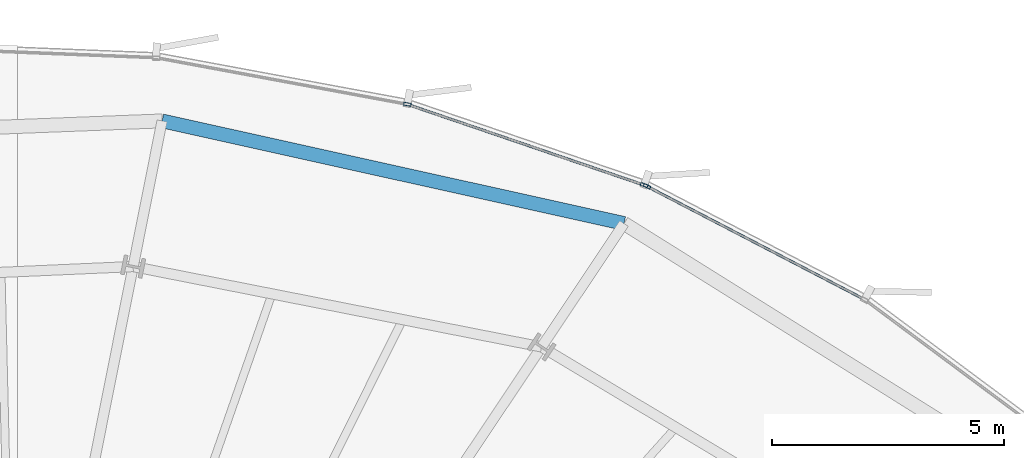
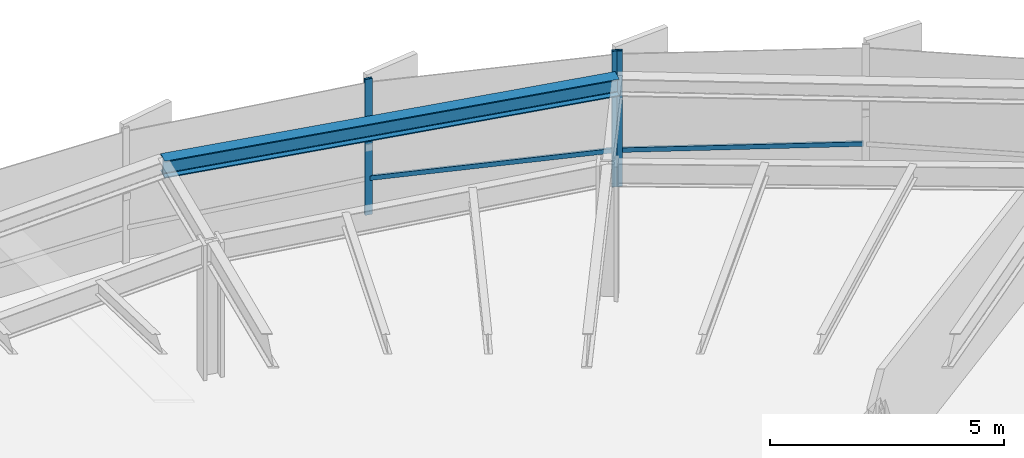
# One storey, part 31 of 42: 5 members, 1 beam, 2 elements without a shape of their own.
"""IFC4 building model written with IfcOpenShell, lengths in metres."""

from ifc_helpers import new_model, si_unit, direction, frame, origin, origin_2d, place, context, subcontext, project, spatial, hollow_rectangle, i_section, extrude, source, transform, mapped, material, layer, layer_set, material_profile, profile_set, type_object, element, aggregate, save


model = new_model("IFC4")

# Units and contexts
model_context = context("Model", 3, precision=1e-05, world=origin(), true_north=direction((0.0, 1.0)))
body_context = subcontext(model_context, "Body", "Model", "MODEL_VIEW")
ifc_project = project(units=[si_unit("LENGTHUNIT", "METRE"), si_unit("AREAUNIT", "SQUARE_METRE"), si_unit("VOLUMEUNIT", "CUBIC_METRE"), si_unit("PLANEANGLEUNIT", "RADIAN"), si_unit("MASSUNIT", "GRAM", prefix="KILO"), si_unit("THERMODYNAMICTEMPERATUREUNIT", "KELVIN")], contexts=[model_context])

# Site, building, storey
site_placement = place(None, origin())
site = spatial("IfcSite", under=ifc_project, at=site_placement, CompositionType="ELEMENT")
building_placement = place(site_placement, origin())
building = spatial("IfcBuilding", under=site, at=building_placement, Name="Kethvar Cultural Tower", CompositionType="ELEMENT")
storey_placement = place(building_placement, frame((0.0, 0.0, 37.199951171875)))
storey = spatial("IfcBuildingStorey", under=building, at=storey_placement, Name="L08", CompositionType="ELEMENT", Elevation=37.199951171875)

# Beam
ifc_material_1 = material(Name="Steel S355J2", Category="steel")
ifc_material_profile_1 = material_profile(ifc_material_1, i_section(OverallWidth=0.300048828125, OverallDepth=0.449951171875, WebThickness=0.013916015625, FlangeThickness=0.02587890625, FilletRadius=0.027099609375, at=origin_2d()), Name="Steel S355J2 — HEB450")
ifc_profile_set_1 = profile_set([ifc_material_profile_1], Name="Steel S355J2 — HEB450")
beam_type = type_object("IfcBeamType", Name="BM-SP450", PredefinedType="SPANDREL", material=ifc_profile_set_1)
shared_shape_1 = source(origin(), body_context, "Body", "SweptSolid", [
    extrude(i_section(OverallWidth=0.300048828125, OverallDepth=0.449951171875, WebThickness=0.013916015625, FlangeThickness=0.02587890625, FilletRadius=0.027099609375, at=origin_2d()), origin(), (0.0, 0.0, 1.0), 10.19873046875),
])
beam_placement = place(storey_placement, frame((61.602783203125, 49.9541015625, 3.322998046875), z_axis=(-0.976234913358, 0.216715006268, 0.0), x_axis=(-0.216715006268, -0.976234913358, 0.0)))
element("IfcBeam", 1, at=beam_placement, inside=storey, type_object=beam_type, Name="L08 Perimeter Spandrel Beam SP-03", PredefinedType="SPANDREL", context=body_context, shape_type="MappedRepresentation", body=[
    mapped(shared_shape_1, transform((0.0, 0.0, 0.0), scale=1.0)),
])

# Curtain wall, member
ifc_material_2 = material(Name="Aluminium 6063-T6", Category="aluminium")
ifc_layer = layer(ifc_material_2, 0.179931640625, Name="Aluminium 6063-T6", Category="aluminium")
ifc_layer_set = layer_set([ifc_layer], Name="Aluminium 6063-T6 (180 mm)")
curtain_wall_type = type_object("IfcCurtainWallType", Name="CW-SYS-02-Z1", PredefinedType="NOTDEFINED", material=ifc_layer_set)
curtain_wall_1_placement = place(storey_placement, origin())
curtain_wall_1 = element("IfcCurtainWall", 2, at=curtain_wall_1_placement, inside=storey, type_object=curtain_wall_type, Name="L08 Curtain Wall Run 01", PredefinedType="NOTDEFINED")
ifc_material_profile_2 = material_profile(ifc_material_2, hollow_rectangle(XDim=0.06494140625, YDim=0.159912109375, WallThickness=0.0048828125, at=origin_2d()), Name="Aluminium 6063-T6 — RHS160x65x5")
ifc_profile_set_2 = profile_set([ifc_material_profile_2], Name="Aluminium 6063-T6 — RHS160x65x5")
member_type_1 = type_object("IfcMemberType", Name="CW-SYS-02-Z1-MUL", PredefinedType="MULLION", material=ifc_profile_set_2)
shared_shape_2 = source(origin(), body_context, "Body", "SweptSolid", [
    extrude(hollow_rectangle(XDim=0.06494140625, YDim=0.159912109375, WallThickness=0.0048828125, at=origin_2d()), origin(), (0.0, 0.0, 1.0), 3.550048828125),
])
member_1_placement = place(storey_placement, frame((62.0966796875, 50.75439453125, 0.0), z_axis=(0.0, 0.0, 1.0), x_axis=(-0.461407991495, -0.887188066525, 0.0)))
member_1 = element("IfcMember", 3, at=member_1_placement, type_object=member_type_1, Name="CW-L08-R01 Mullion 7", PredefinedType="MULLION", context=body_context, shape_type="MappedRepresentation", body=[
    mapped(shared_shape_2, transform((0.0, 0.0, 0.0), scale=1.0)),
])

# Curtain wall, members
curtain_wall_2_placement = place(storey_placement, origin())
curtain_wall_2 = element("IfcCurtainWall", 4, at=curtain_wall_2_placement, inside=storey, type_object=curtain_wall_type, Name="L08 Curtain Wall Run 02", PredefinedType="NOTDEFINED")
member_2_placement = place(storey_placement, frame((62.035888671875, 50.780517578125, 0.0), z_axis=(0.0, 0.0, 1.0), x_axis=(-0.322860428851, -0.94644658776, 0.0)))
member_2 = element("IfcMember", 5, at=member_2_placement, type_object=member_type_1, Name="CW-L08-R02 Mullion 1", PredefinedType="MULLION", context=body_context, shape_type="MappedRepresentation", body=[
    mapped(shared_shape_2, transform((0.0, 0.0, 0.0), scale=1.0)),
])
member_3_placement = place(storey_placement, frame((56.9326171875, 52.522705078125, 0.0), z_axis=(0.0, 0.0, 1.0), x_axis=(-0.182269847452, -0.983248545745, 0.0)))
member_3 = element("IfcMember", 6, at=member_3_placement, type_object=member_type_1, Name="CW-L08-R02 Mullion 2", PredefinedType="MULLION", context=body_context, shape_type="MappedRepresentation", body=[
    mapped(shared_shape_2, transform((0.0, 0.0, 0.0), scale=1.0)),
])

# Member
ifc_material_profile_3 = material_profile(ifc_material_2, hollow_rectangle(XDim=0.054931640625, YDim=0.1201171875, WallThickness=0.00390625, at=origin_2d()), Name="Aluminium 6063-T6 — RHS120x55x4")
ifc_profile_set_3 = profile_set([ifc_material_profile_3], Name="Aluminium 6063-T6 — RHS120x55x4")
member_type_2 = type_object("IfcMemberType", Name="CW-SYS-02-Z1-TRN", PredefinedType="USERDEFINED", material=ifc_profile_set_3)
shared_shape_3 = source(origin(), body_context, "Body", "SweptSolid", [
    extrude(hollow_rectangle(XDim=0.054931640625, YDim=0.1201171875, WallThickness=0.00390625, at=origin_2d()), origin(), (0.0, 0.0, 1.0), 5.23876953125),
])
member_4_placement = place(storey_placement, frame((66.74853515625, 48.335205078125, 0.949951171875), z_axis=(-0.887183225871, 0.46141729891, 0.0), x_axis=(-0.46141729891, -0.887183225871, 0.0)))
member_4 = element("IfcMember", 7, at=member_4_placement, type_object=member_type_2, Name="CW-L08-R01 Transom 6", ObjectType="TRANSOM", PredefinedType="USERDEFINED", context=body_context, shape_type="MappedRepresentation", body=[
    mapped(shared_shape_3, transform((0.0, 0.0, 0.0), scale=1.0)),
])

aggregate(curtain_wall_1, [member_1, member_4])

shared_shape_4 = source(origin(), body_context, "Body", "SweptSolid", [
    extrude(hollow_rectangle(XDim=0.054931640625, YDim=0.1201171875, WallThickness=0.00390625, at=origin_2d()), origin(), (0.0, 0.0, 1.0), 5.358154296875),
])
member_5_placement = place(storey_placement, frame((62.031494140625, 50.781982421875, 0.949951171875), z_axis=(-0.946445650793, 0.322863175502, 0.0), x_axis=(-0.322863175502, -0.946445650793, 0.0)))
member_5 = element("IfcMember", 8, at=member_5_placement, type_object=member_type_2, Name="CW-L08-R02 Transom 1", ObjectType="TRANSOM", PredefinedType="USERDEFINED", context=body_context, shape_type="MappedRepresentation", body=[
    mapped(shared_shape_4, transform((0.0, 0.0, 0.0), scale=1.0)),
])

aggregate(curtain_wall_2, [member_2, member_3, member_5])

save(model, "model.ifc")
